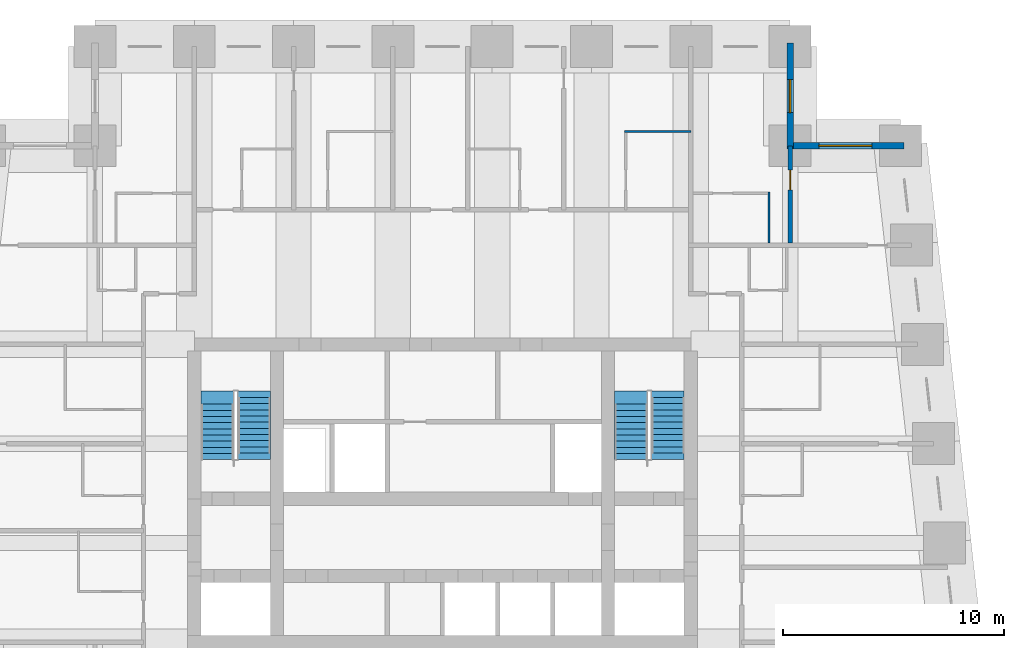
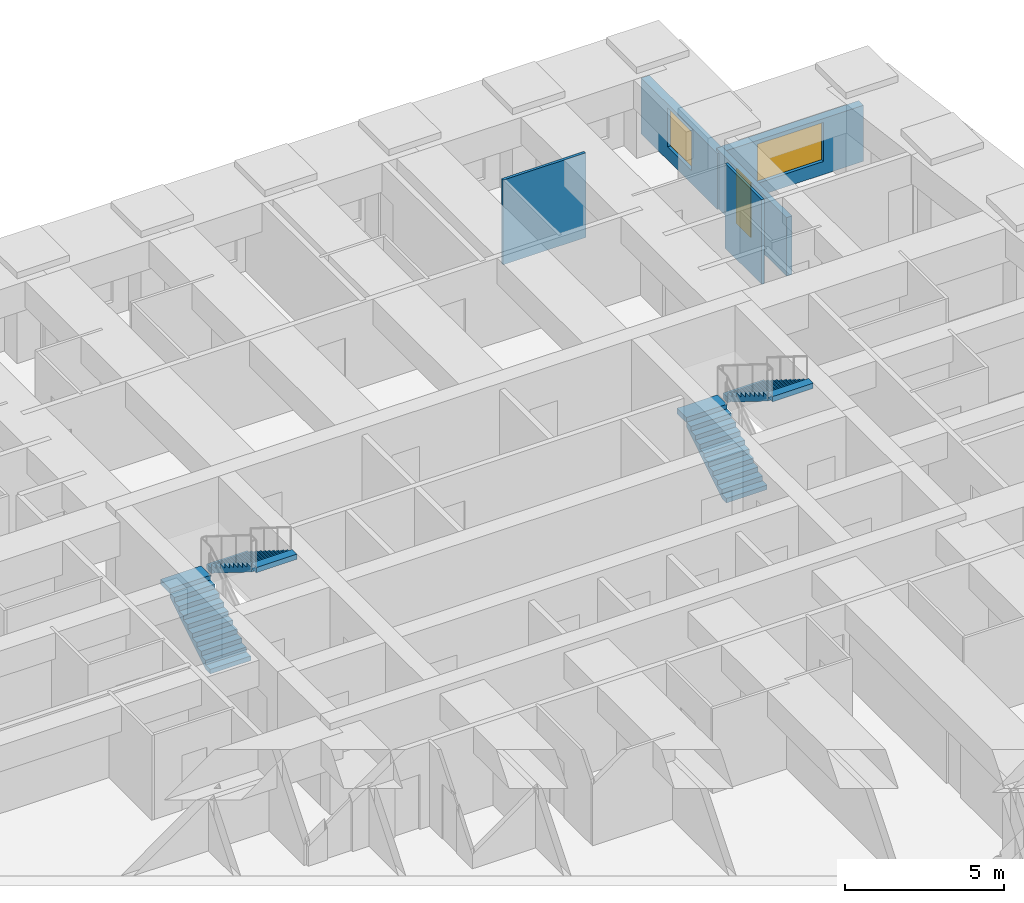
# One storey, part 7 of 8: 5 walls, 4 stair flights, 2 windows, 1 door, 3 openings, 2 elements without a shape of their own.
"""IFC4 building model written with IfcOpenShell, lengths in metres."""

from ifc_helpers import new_model, si_unit, direction, frame, frame_2d, origin, place, context, subcontext, project, spatial, polyline, rectangle, outline, extrude, material, layer, layer_set, type_object, element, fill, aggregate, save


model = new_model("IFC4")

# Units and contexts
model_context = context("Model", 3, precision=1e-05, world=origin(), true_north=direction((0.0, 1.0)))
body_context = subcontext(model_context, "Body", "Model", "MODEL_VIEW")
ifc_project = project(units=[si_unit("LENGTHUNIT", "METRE"), si_unit("AREAUNIT", "SQUARE_METRE"), si_unit("VOLUMEUNIT", "CUBIC_METRE"), si_unit("PLANEANGLEUNIT", "RADIAN"), si_unit("MASSUNIT", "GRAM", prefix="KILO")], contexts=[model_context])

# Site, building, storey
site_placement = place(None, origin())
site = spatial("IfcSite", under=ifc_project, at=site_placement, CompositionType="ELEMENT")
building_placement = place(site_placement, origin())
building = spatial("IfcBuilding", under=site, at=building_placement, Name="Kilele Tower Hotel", CompositionType="ELEMENT")
storey_placement = place(building_placement, frame((0.0, 0.0, 138.89990234375)))
storey = spatial("IfcBuildingStorey", under=building, at=storey_placement, Name="L36", CompositionType="ELEMENT", Elevation=138.89990234375)

# Walls
ifc_material_1 = material(Name="Moisture-resistant board")
ifc_layer_1 = layer(ifc_material_1, 0.10009765625)
ifc_layer_set_1 = layer_set([ifc_layer_1], Name="Moisture-resistant board")
wall_type_1 = type_object("IfcWallType", Name="Bathroom partition 100", PredefinedType="PLUMBINGWALL", material=ifc_layer_set_1)
wall_1_placement = place(storey_placement, frame((33.0, 36.64990234375, 0.0), z_axis=(0.0, 0.0, 1.0), x_axis=(1.0, 0.0, 0.0)))
element("IfcWall", 1, at=wall_1_placement, inside=storey, type_object=wall_type_1, Name="Bathroom partition 100 L36", PredefinedType="PLUMBINGWALL", context=body_context, shape_type="SweptSolid", body=[
    extrude(rectangle(XDim=3.0, YDim=0.10009765625, at=frame_2d((1.5, 0.0))), origin(), (0.0, 0.0, 1.0), 3.25),
])
wall_2_placement = place(storey_placement, frame((39.550048828125, 31.60009765625, 0.0), z_axis=(0.0, 0.0, 1.0), x_axis=(0.0, 1.0, 0.0)))
element("IfcWall", 2, at=wall_2_placement, inside=storey, type_object=wall_type_1, Name="Bathroom partition 100 L36", PredefinedType="PLUMBINGWALL", context=body_context, shape_type="SweptSolid", body=[
    extrude(rectangle(XDim=2.2998046875, YDim=0.10009765625, at=frame_2d((1.14990234375, 0.0))), origin(), (0.0, 0.0, 1.0), 3.25),
])

# Wall, opening, door
ifc_material_2 = material(Name="Blockwork, plastered both sides", Category="masonry")
ifc_layer_2 = layer(ifc_material_2, 0.199951171875)
ifc_layer_set_2 = layer_set([ifc_layer_2], Name="Blockwork, plastered both sides")
wall_type_2 = type_object("IfcWallType", Name="Partition wall 200", PredefinedType="PARTITIONING", material=ifc_layer_set_2)
wall_3_placement = place(storey_placement, frame((40.5, 31.60009765625, 0.0), z_axis=(0.0, 0.0, 1.0), x_axis=(0.0, 1.0, 0.0)))
wall_3 = element("IfcWall", 3, at=wall_3_placement, inside=storey, type_object=wall_type_2, Name="Partition wall 200 L36", PredefinedType="PARTITIONING", context=body_context, shape_type="SweptSolid", body=[
    extrude(rectangle(XDim=4.39990234375, YDim=0.199951171875, at=frame_2d((2.199951171875, 0.0))), origin(), (0.0, 0.0, 1.0), 2.25),
])
opening_1_placement = place(wall_3_placement, frame((2.39990234375, 0.0, 0.0)))
opening_1 = element("IfcOpeningElement", 4, at=opening_1_placement, cuts=wall_3, Name="Opening D3", PredefinedType="OPENING", context=body_context, shape_type="SweptSolid", body=[
    extrude(rectangle(XDim=0.89990234375, YDim=2.10009765625, at=frame_2d((0.449951171875, 1.050048828125))), frame((0.0, 0.10986328125, 0.0), z_axis=(0.0, -1.0, 0.0), x_axis=(1.0, 0.0, 0.0)), (0.0, 0.0, 1.0), 0.219970703125),
])
ifc_material_3 = material(Name="Timber door leaf in hardwood frame", Category="wood")
door_type = type_object("IfcDoorType", Name="Suite internal door 900", OperationType="SINGLE_SWING_LEFT", PredefinedType="DOOR", material=ifc_material_3)
door_placement = place(opening_1_placement, origin())
door = element("IfcDoor", 5, at=door_placement, inside=storey, type_object=door_type, Name="Suite door 3625", OperationType="SINGLE_SWING_LEFT", OverallHeight=2.10009765625, OverallWidth=0.89990234375, PredefinedType="DOOR", context=body_context, shape_type="SweptSolid", body=[
    extrude(rectangle(XDim=0.89990234375, YDim=2.10009765625, at=frame_2d((0.449951171875, 1.050048828125))), frame((0.0, 0.02490234375, 0.0), z_axis=(0.0, -1.0, 0.0), x_axis=(1.0, 0.0, 0.0)), (0.0, 0.0, 1.0), 0.050048828125),
])
fill(opening_1, door)

# Wall, opening, window
ifc_material_4 = material(Name="Concrete C40/50 precast", Category="concrete")
ifc_layer_3 = layer(ifc_material_4, 0.260009765625, Name="Precast backing", Category="LoadBearing")
ifc_material_5 = material(Name="Reconstituted stone finish", Category="masonry")
ifc_layer_4 = layer(ifc_material_5, 0.0400390625, Name="Face mix", Category="Finish")
ifc_layer_set_3 = layer_set([ifc_layer_3, ifc_layer_4], Name="Precast concrete C40/50, reconstituted stone finish")
wall_type_3 = type_object("IfcWallType", Name="Precast stone facade wall 300", PredefinedType="STANDARD", material=ifc_layer_set_3)
wall_4_placement = place(storey_placement, frame((45.64990234375, 36.0, 0.0), z_axis=(0.0, 0.0, 1.0), x_axis=(-1.0, 0.0, 0.0)))
wall_4 = element("IfcWall", 6, at=wall_4_placement, inside=storey, type_object=wall_type_3, Name="Facade wall L36 edge 7", PredefinedType="STANDARD", context=body_context, shape_type="SweptSolid", body=[
    extrude(rectangle(XDim=5.2998046875, YDim=0.300048828125, at=frame_2d((2.64990234375, 0.0))), origin(), (0.0, 0.0, 1.0), 2.150146484375),
])
opening_2_placement = place(wall_4_placement, frame((1.449951171875, 0.0, 0.5)))
opening_2 = element("IfcOpeningElement", 7, at=opening_2_placement, cuts=wall_4, Name="Opening W2", PredefinedType="OPENING", context=body_context, shape_type="SweptSolid", body=[
    extrude(rectangle(XDim=2.39990234375, YDim=1.5, at=frame_2d((1.199951171875, 0.75))), frame((0.0, 0.159912109375, 0.0), z_axis=(0.0, -1.0, 0.0), x_axis=(1.0, 0.0, 0.0)), (0.0, 0.0, 1.0), 0.320068359375),
])
ifc_material_6 = material(Name="Aluminium frame, clear double glazing", Category="aluminium")
window_type_1 = type_object("IfcWindowType", Name="Window W2 2400 x 1500", PartitioningType="SINGLE_PANEL", PredefinedType="WINDOW", material=ifc_material_6)
window_1_placement = place(opening_2_placement, origin())
window_1 = element("IfcWindow", 8, at=window_1_placement, inside=storey, type_object=window_type_1, Name="Window L36", OverallHeight=1.5, OverallWidth=2.39990234375, PartitioningType="SINGLE_PANEL", PredefinedType="WINDOW", context=body_context, shape_type="SweptSolid", body=[
    extrude(rectangle(XDim=2.39990234375, YDim=1.5, at=frame_2d((1.199951171875, 0.75))), frame((0.0, 0.030029296875, 0.0), z_axis=(0.0, -1.0, 0.0), x_axis=(1.0, 0.0, 0.0)), (0.0, 0.0, 1.0), 0.06005859375),
])
fill(opening_2, window_1)

wall_5_placement = place(storey_placement, frame((40.5, 35.85009765625, 0.0), z_axis=(0.0, 0.0, 1.0), x_axis=(0.0, 1.0, 0.0)))
wall_5 = element("IfcWall", 9, at=wall_5_placement, inside=storey, type_object=wall_type_3, Name="Facade wall L36 edge 8", PredefinedType="STANDARD", context=body_context, shape_type="SweptSolid", body=[
    extrude(rectangle(XDim=4.7998046875, YDim=0.300048828125, at=frame_2d((2.39990234375, 0.0))), origin(), (0.0, 0.0, 1.0), 2.150146484375),
])
opening_3_placement = place(wall_5_placement, frame((1.64990234375, 0.0, 0.5)))
opening_3 = element("IfcOpeningElement", 10, at=opening_3_placement, cuts=wall_5, Name="Opening W2", PredefinedType="OPENING", context=body_context, shape_type="SweptSolid", body=[
    extrude(rectangle(XDim=1.5, YDim=1.5, at=frame_2d((0.75, 0.75))), frame((0.0, 0.159912109375, 0.0), z_axis=(0.0, -1.0, 0.0), x_axis=(1.0, 0.0, 0.0)), (0.0, 0.0, 1.0), 0.320068359375),
])
ifc_material_7 = material(Name="Aluminium frame, clear double glazing", Category="aluminium")
window_type_2 = type_object("IfcWindowType", Name="Window W2 1500 x 1500", PartitioningType="SINGLE_PANEL", PredefinedType="WINDOW", material=ifc_material_7)
window_2_placement = place(opening_3_placement, origin())
window_2 = element("IfcWindow", 11, at=window_2_placement, inside=storey, type_object=window_type_2, Name="Window L36", OverallHeight=1.5, OverallWidth=1.5, PartitioningType="SINGLE_PANEL", PredefinedType="WINDOW", context=body_context, shape_type="SweptSolid", body=[
    extrude(rectangle(XDim=1.5, YDim=1.5, at=frame_2d((0.75, 0.75))), frame((0.0, 0.030029296875, 0.0), z_axis=(0.0, -1.0, 0.0), x_axis=(1.0, 0.0, 0.0)), (0.0, 0.0, 1.0), 0.06005859375),
])
fill(opening_3, window_2)

# Stair, stair flights
ifc_material_8 = material(Name="Precast concrete C40/50", Category="concrete")
stair_type = type_object("IfcStairType", Name="Stair 1475 x 3500", PredefinedType="HALF_TURN_STAIR", material=ifc_material_8)
stair_1_placement = place(storey_placement, origin())
stair_1 = element("IfcStair", 12, at=stair_1_placement, inside=storey, type_object=stair_type, Name="Stair 1 L36", PredefinedType="HALF_TURN_STAIR")
ifc_material_9 = material(Name="Precast concrete C40/50", Category="concrete")
stair_flight_type = type_object("IfcStairFlightType", Name="Flight 1475 riser 175.0", PredefinedType="STRAIGHT", material=ifc_material_9)
stair_flight_1_placement = place(storey_placement, frame((14.53759765625, 21.77490234375, 0.0), z_axis=(0.0, 0.0, 1.0), x_axis=(0.0, 1.0, 0.0)))
stair_flight_1 = element("IfcStairFlight", 13, at=stair_flight_1_placement, type_object=stair_flight_type, Name="ST1 flight 1", NumberOfRisers=10, NumberOfTreads=9, PredefinedType="STRAIGHT", RiserHeight=0.175, TreadLength=0.28, context=body_context, shape_type="SweptSolid", body=[
    extrude(outline(polyline([(0.0, 0.0), (0.0, 0.175048828125), (0.280029296875, 0.175048828125), (0.280029296875, 0.35009765625), (0.56005859375, 0.35009765625), (0.56005859375, 0.52490234375), (0.840087890625, 0.52490234375), (0.840087890625, 0.699951171875), (1.1201171875, 0.699951171875), (1.1201171875, 0.875), (1.39990234375, 0.875), (1.39990234375, 1.050048828125), (1.679931640625, 1.050048828125), (1.679931640625, 1.22509765625), (1.9599609375, 1.22509765625), (1.9599609375, 1.39990234375), (2.239990234375, 1.39990234375), (2.239990234375, 1.574951171875), (2.52001953125, 1.574951171875), (2.52001953125, 1.75), (2.52001953125, 1.398193359375), (0.28271484375, 0.0), (0.0, 0.0)])), frame((0.0, 0.737548828125, 0.0), z_axis=(0.0, -1.0, 0.0), x_axis=(1.0, 0.0, 0.0)), (0.0, 0.0, 1.0), 1.47509765625),
    extrude(outline(polyline([(2.52001953125, 0.737548828125), (2.52001953125, -0.7373046875), (3.1201171875, -0.7373046875), (3.1201171875, 0.737548828125), (2.52001953125, 0.737548828125)])), frame((0.0, 0.0, 1.550048828125)), (0.0, 0.0, 1.0), 0.199951171875),
])
stair_flight_2_placement = place(storey_placement, frame((16.21240234375, 24.594970703125, 1.75), z_axis=(0.0, 0.0, 1.0), x_axis=(0.0, -1.0, 0.0)))
stair_flight_2 = element("IfcStairFlight", 14, at=stair_flight_2_placement, type_object=stair_flight_type, Name="ST1 flight 2", NumberOfRisers=10, NumberOfTreads=9, PredefinedType="STRAIGHT", RiserHeight=0.175, TreadLength=0.28, context=body_context, shape_type="SweptSolid", body=[
    extrude(outline(polyline([(0.0, 0.0), (0.0, 0.175048828125), (0.280029296875, 0.175048828125), (0.280029296875, 0.35009765625), (0.56005859375, 0.35009765625), (0.56005859375, 0.52490234375), (0.840087890625, 0.52490234375), (0.840087890625, 0.699951171875), (1.1201171875, 0.699951171875), (1.1201171875, 0.875), (1.39990234375, 0.875), (1.39990234375, 1.050048828125), (1.679931640625, 1.050048828125), (1.679931640625, 1.22509765625), (1.9599609375, 1.22509765625), (1.9599609375, 1.39990234375), (2.239990234375, 1.39990234375), (2.239990234375, 1.574951171875), (2.52001953125, 1.574951171875), (2.52001953125, 1.75), (2.52001953125, 1.398193359375), (0.28271484375, 0.0), (0.0, 0.0)])), frame((0.0, 0.737548828125, 0.0), z_axis=(0.0, -1.0, 0.0), x_axis=(1.0, 0.0, 0.0)), (0.0, 0.0, 1.0), 1.47509765625),
    extrude(outline(polyline([(0.0, -0.7373046875), (0.0, 0.737548828125), (-0.300048828125, 0.737548828125), (-0.300048828125, -0.7373046875), (0.0, -0.7373046875)])), frame((0.0, 0.0, -0.199951171875)), (0.0, 0.0, 1.0), 0.199951171875),
    extrude(outline(polyline([(2.820068359375, -0.7373046875), (2.820068359375, 0.737548828125), (2.52001953125, 0.737548828125), (2.52001953125, -0.7373046875), (2.820068359375, -0.7373046875)])), frame((0.0, 0.0, 1.550048828125)), (0.0, 0.0, 1.0), 0.199951171875),
])
aggregate(stair_1, [stair_flight_1, stair_flight_2])

stair_2_placement = place(storey_placement, origin())
stair_2 = element("IfcStair", 15, at=stair_2_placement, inside=storey, type_object=stair_type, Name="Stair 2 L36", PredefinedType="HALF_TURN_STAIR")
stair_flight_3_placement = place(storey_placement, frame((33.28759765625, 21.77490234375, 0.0), z_axis=(0.0, 0.0, 1.0), x_axis=(0.0, 1.0, 0.0)))
stair_flight_3 = element("IfcStairFlight", 16, at=stair_flight_3_placement, type_object=stair_flight_type, Name="ST2 flight 1", NumberOfRisers=10, NumberOfTreads=9, PredefinedType="STRAIGHT", RiserHeight=0.175, TreadLength=0.28, context=body_context, shape_type="SweptSolid", body=[
    extrude(outline(polyline([(0.0, 0.0), (0.0, 0.175048828125), (0.280029296875, 0.175048828125), (0.280029296875, 0.35009765625), (0.56005859375, 0.35009765625), (0.56005859375, 0.52490234375), (0.840087890625, 0.52490234375), (0.840087890625, 0.699951171875), (1.1201171875, 0.699951171875), (1.1201171875, 0.875), (1.39990234375, 0.875), (1.39990234375, 1.050048828125), (1.679931640625, 1.050048828125), (1.679931640625, 1.22509765625), (1.9599609375, 1.22509765625), (1.9599609375, 1.39990234375), (2.239990234375, 1.39990234375), (2.239990234375, 1.574951171875), (2.52001953125, 1.574951171875), (2.52001953125, 1.75), (2.52001953125, 1.398193359375), (0.28271484375, 0.0), (0.0, 0.0)])), frame((0.0, 0.737548828125, 0.0), z_axis=(0.0, -1.0, 0.0), x_axis=(1.0, 0.0, 0.0)), (0.0, 0.0, 1.0), 1.47509765625),
    extrude(outline(polyline([(2.52001953125, 0.737548828125), (2.52001953125, -0.7373046875), (3.1201171875, -0.7373046875), (3.1201171875, 0.737548828125), (2.52001953125, 0.737548828125)])), frame((0.0, 0.0, 1.550048828125)), (0.0, 0.0, 1.0), 0.199951171875),
])
stair_flight_4_placement = place(storey_placement, frame((34.96240234375, 24.594970703125, 1.75), z_axis=(0.0, 0.0, 1.0), x_axis=(0.0, -1.0, 0.0)))
stair_flight_4 = element("IfcStairFlight", 17, at=stair_flight_4_placement, type_object=stair_flight_type, Name="ST2 flight 2", NumberOfRisers=10, NumberOfTreads=9, PredefinedType="STRAIGHT", RiserHeight=0.175, TreadLength=0.28, context=body_context, shape_type="SweptSolid", body=[
    extrude(outline(polyline([(0.0, 0.0), (0.0, 0.175048828125), (0.280029296875, 0.175048828125), (0.280029296875, 0.35009765625), (0.56005859375, 0.35009765625), (0.56005859375, 0.52490234375), (0.840087890625, 0.52490234375), (0.840087890625, 0.699951171875), (1.1201171875, 0.699951171875), (1.1201171875, 0.875), (1.39990234375, 0.875), (1.39990234375, 1.050048828125), (1.679931640625, 1.050048828125), (1.679931640625, 1.22509765625), (1.9599609375, 1.22509765625), (1.9599609375, 1.39990234375), (2.239990234375, 1.39990234375), (2.239990234375, 1.574951171875), (2.52001953125, 1.574951171875), (2.52001953125, 1.75), (2.52001953125, 1.398193359375), (0.28271484375, 0.0), (0.0, 0.0)])), frame((0.0, 0.737548828125, 0.0), z_axis=(0.0, -1.0, 0.0), x_axis=(1.0, 0.0, 0.0)), (0.0, 0.0, 1.0), 1.47509765625),
    extrude(outline(polyline([(0.0, -0.7373046875), (0.0, 0.737548828125), (-0.300048828125, 0.737548828125), (-0.300048828125, -0.7373046875), (0.0, -0.7373046875)])), frame((0.0, 0.0, -0.199951171875)), (0.0, 0.0, 1.0), 0.199951171875),
    extrude(outline(polyline([(2.820068359375, -0.7373046875), (2.820068359375, 0.737548828125), (2.52001953125, 0.737548828125), (2.52001953125, -0.7373046875), (2.820068359375, -0.7373046875)])), frame((0.0, 0.0, 1.550048828125)), (0.0, 0.0, 1.0), 0.199951171875),
])
aggregate(stair_2, [stair_flight_3, stair_flight_4])

save(model, "model.ifc")
